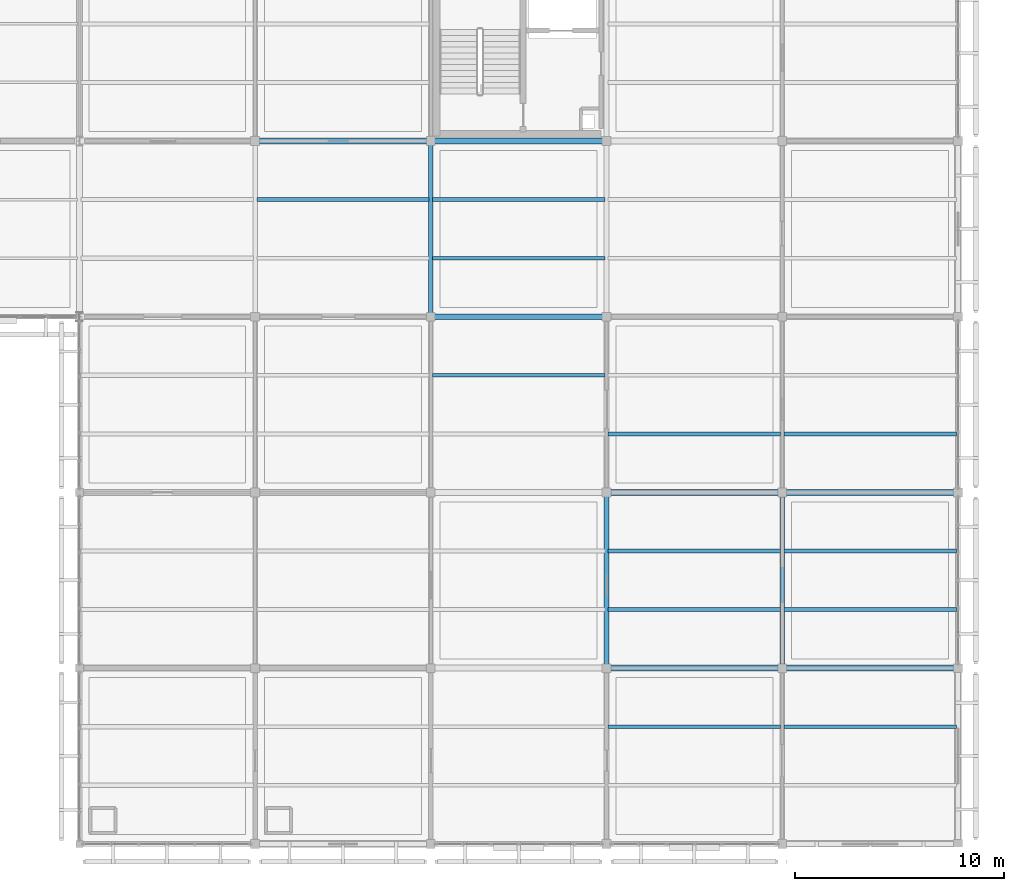
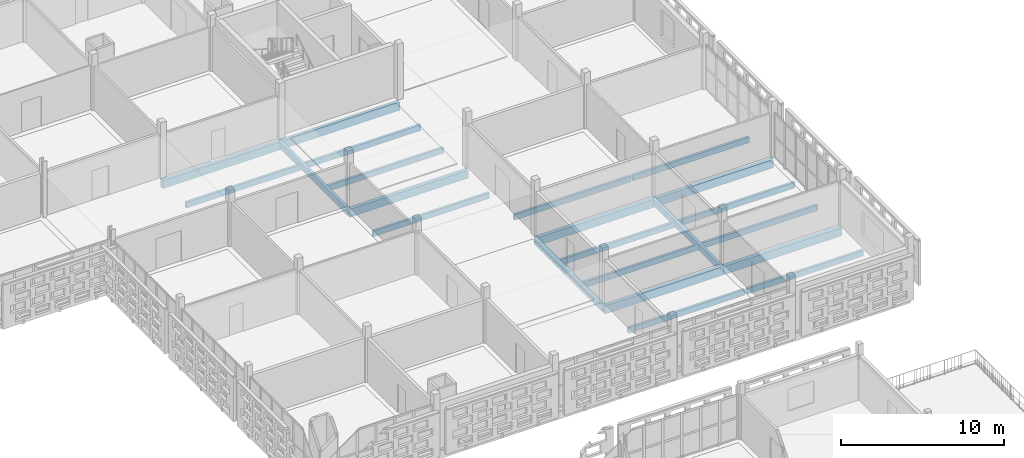
# One storey, part 69 of 166: 22 beams.
"""IFC4 building model written with IfcOpenShell, lengths in metres."""

import ifcopenshell
import ifcopenshell.guid

model = None  # the IFC model being written
_history = None  # IfcOwnerHistory: only IFC2X3 demands one
_inside = {}  # id of a spatial element -> (the spatial element, [elements in it])
_under = {}  # id of a project, library or spatial element -> (it, [spatial elements below it])
_declared = {}  # id of a project -> (the project, [libraries it declares])
_typed = {}  # id of a type object -> (the type object, [elements of that type])
_made_of = {}  # id of a material, layer set ... -> (it, [elements and type objects made of it])


def new_model(schema):
    """Start an empty IFC model of exactly this schema.

    Asked for "IFC4X3", IfcOpenShell would pick the latest addendum, in which some entities
    have other attributes; the version numbers below select the first issue.
    IFC2X3 requires an IfcOwnerHistory on every rooted entity: one is made here for all.
    """
    global model, _history
    if schema == "IFC4X3":
        model = ifcopenshell.file(schema_version=(4, 3, 0, 0))
    else:
        model = ifcopenshell.file(schema=schema)
    _inside.clear()
    _under.clear()
    _declared.clear()
    _typed.clear()
    _made_of.clear()
    _history = None
    if model.schema == "IFC2X3":
        org = make("IfcOrganization", Name="unknown")
        user = make(
            "IfcPersonAndOrganization",
            ThePerson=make("IfcPerson", FamilyName="unknown"),
            TheOrganization=org,
        )
        app = make(
            "IfcApplication",
            ApplicationDeveloper=org,
            Version="unknown",
            ApplicationFullName="unknown",
            ApplicationIdentifier="unknown",
        )
        _history = make(
            "IfcOwnerHistory",
            OwningUser=user,
            OwningApplication=app,
            ChangeAction="ADDED",
            CreationDate=0,
        )
    return model


def make(cls, **values):
    """One entity of the class cls with the attributes given. An attribute that is None is left unset."""
    return model.create_entity(
        cls, **{name: value for name, value in values.items() if value is not None}
    )


def rooted(cls, **values):
    """An entity with a GlobalId (a new one), such as an element, a storey or a relation."""
    return make(cls, GlobalId=ifcopenshell.guid.new(), OwnerHistory=_history, **values)


def si_unit(unit_type, name, prefix=None):
    """IfcSIUnit, for example si_unit("LENGTHUNIT", "METRE", prefix="MILLI")."""
    return make("IfcSIUnit", UnitType=unit_type, Prefix=prefix, Name=name)


def assignment(units):
    """IfcUnitAssignment: the units of a project."""
    return None if units is None else make("IfcUnitAssignment", Units=units)


def point(xyz):
    """IfcCartesianPoint."""
    return None if xyz is None else make("IfcCartesianPoint", Coordinates=xyz)


def direction(xyz):
    """IfcDirection."""
    return None if xyz is None else make("IfcDirection", DirectionRatios=xyz)


def frame(location, z_axis=None, x_axis=None):
    """IfcAxis2Placement3D, a coordinate frame: its origin and axes. An axis left out is left unset."""
    return make(
        "IfcAxis2Placement3D",
        Location=point(location),
        Axis=direction(z_axis),
        RefDirection=direction(x_axis),
    )


def frame_2d(location, x_axis=None):
    """IfcAxis2Placement2D, a coordinate frame in the plane: its origin and x axis."""
    return make(
        "IfcAxis2Placement2D", Location=point(location), RefDirection=direction(x_axis)
    )


def origin():
    """The frame at (0, 0, 0) with its axes left unset."""
    return frame((0.0, 0.0, 0.0))


def origin_2d():
    """The frame at (0, 0) in the plane with its x axis left unset."""
    return frame_2d((0.0, 0.0))


def place(relative_to, where):
    """IfcLocalPlacement: puts the frame where relative to a parent placement (None: the world)."""
    return make(
        "IfcLocalPlacement", PlacementRelTo=relative_to, RelativePlacement=where
    )


def context(
    kind, dimensions, precision=None, world=None, true_north=None, identifier=None
):
    """IfcGeometricRepresentationContext, for example the 3D "Model" context."""
    return make(
        "IfcGeometricRepresentationContext",
        ContextIdentifier=identifier,
        ContextType=kind,
        CoordinateSpaceDimension=dimensions,
        Precision=precision,
        WorldCoordinateSystem=world,
        TrueNorth=true_north,
    )


def subcontext(parent, identifier, kind, view, scale=None):
    """IfcGeometricRepresentationSubContext, for example "Body" below "Model"."""
    return make(
        "IfcGeometricRepresentationSubContext",
        ContextIdentifier=identifier,
        ContextType=kind,
        ParentContext=parent,
        TargetScale=scale,
        TargetView=view,
    )


def project(units=None, contexts=None):
    """IfcProject with its units and contexts."""
    return rooted(
        "IfcProject",
        Name="project",
        RepresentationContexts=contexts,
        UnitsInContext=assignment(units),
    )


def spatial(cls, under=None, at=None, **own):
    """A site, building, storey or space (cls), placed at a placement, below another one or the project."""
    s = rooted(cls, ObjectPlacement=at, **own)
    if under is not None:
        _under.setdefault(under.id(), (under, []))[1].append(s)
    return s


def profile(cls, at=None, kind="AREA", **sizes):
    """A parametric profile (cls). Its sizes go by their IFC names, for example OverallWidth=200.0."""
    return make(cls, ProfileType=kind, Position=at, **sizes)


def rectangle(**sizes):
    """IfcRectangleProfileDef."""
    return profile("IfcRectangleProfileDef", **sizes)


def extrude(swept, where, along, depth):
    """IfcExtrudedAreaSolid: the profile swept, set in the frame where, extruded along a direction by depth."""
    return make(
        "IfcExtrudedAreaSolid",
        SweptArea=swept,
        Position=where,
        ExtrudedDirection=direction(along),
        Depth=depth,
    )


def shape(context_of_items, identifier, shape_type, items):
    """IfcShapeRepresentation: the items that make up one representation, for example the "Body"."""
    return make(
        "IfcShapeRepresentation",
        ContextOfItems=context_of_items,
        RepresentationIdentifier=identifier,
        RepresentationType=shape_type,
        Items=items,
    )


def material(Name=None, Category=None):
    """IfcMaterial."""
    return make("IfcMaterial", Name=Name, Category=Category)


def material_profile(
    of_material, cross_section, Name=None, Category=None, Priority=None
):
    """IfcMaterialProfile: a cross section and its material."""
    return make(
        "IfcMaterialProfile",
        Name=Name,
        Material=of_material,
        Profile=cross_section,
        Priority=Priority,
        Category=Category,
    )


def profile_set(profiles, Name=None, composite=None):
    """IfcMaterialProfileSet."""
    return make(
        "IfcMaterialProfileSet",
        Name=Name,
        MaterialProfiles=profiles,
        CompositeProfile=composite,
    )


def made_of(thing, what):
    """Note that an element or type object is made of a material, layer set ...; save() writes the relation."""
    if what is not None:
        _made_of.setdefault(what.id(), (what, []))[1].append(thing)
    return thing


def type_object(cls, material=None, **own):
    """A type object (cls), such as IfcWallType, which elements share."""
    return made_of(rooted(cls, **own), material)


def element(
    cls,
    number,
    at=None,
    inside=None,
    cuts=None,
    type_object=None,
    material=None,
    context=None,
    identifier="Body",
    shape_type=None,
    held_by="IfcProductDefinitionShape",
    body=None,
    shapes=None,
    **own,
):
    """One element of the class cls, such as IfcWall. Its Tag is "e" and its number.

    at: its placement. inside: the storey or other place that contains it. cuts: it is an
    opening in that element (IfcRelVoidsElement). A single representation is given by context,
    identifier, shape_type and body (its items); several are given by shapes. held_by: the class
    of the entity that holds the representations. save() writes the other relations.
    """
    e = rooted(cls, Tag="e%d" % number, ObjectPlacement=at, **own)
    if body is not None:
        shapes = [shape(context, identifier, shape_type, body)]
    if shapes is not None:
        e.Representation = make(held_by, Representations=shapes)
    if inside is not None:
        _inside.setdefault(inside.id(), (inside, []))[1].append(e)
    if cuts is not None:
        rooted(
            "IfcRelVoidsElement", RelatingBuildingElement=cuts, RelatedOpeningElement=e
        )
    if type_object is not None:
        _typed.setdefault(type_object.id(), (type_object, []))[1].append(e)
    return made_of(e, material)


def aggregate(whole, parts):
    """IfcRelAggregates: a whole, such as a stair, and the parts it consists of."""
    return rooted("IfcRelAggregates", RelatingObject=whole, RelatedObjects=parts)


def save(model, path):
    """Write the relations noted so far, then the file.

    IfcRelAggregates (storeys below a building ...), IfcRelContainedInSpatialStructure (elements
    in a storey), IfcRelDefinesByType, IfcRelAssociatesMaterial and IfcRelDeclares: one each for
    every whole, place, type object, material and project.
    """
    for whole, parts in _under.values():
        aggregate(whole, parts)
    for where, things in _inside.values():
        rooted(
            "IfcRelContainedInSpatialStructure",
            RelatedElements=things,
            RelatingStructure=where,
        )
    for kind, things in _typed.values():
        rooted("IfcRelDefinesByType", RelatedObjects=things, RelatingType=kind)
    for what, things in _made_of.values():
        rooted("IfcRelAssociatesMaterial", RelatedObjects=things, RelatingMaterial=what)
    for by, libraries in _declared.values():
        rooted("IfcRelDeclares", RelatingContext=by, RelatedDefinitions=libraries)
    model.write(path)


model = new_model("IFC4")

# Units and contexts
model_context = context("Model", 3, precision=1e-05, world=origin(), true_north=direction((0.0, 1.0)))
body_context = subcontext(model_context, "Body", "Model", "MODEL_VIEW")
ifc_project = project(units=[si_unit("LENGTHUNIT", "METRE"), si_unit("AREAUNIT", "SQUARE_METRE"), si_unit("VOLUMEUNIT", "CUBIC_METRE"), si_unit("PLANEANGLEUNIT", "RADIAN"), si_unit("MASSUNIT", "GRAM", prefix="KILO")], contexts=[model_context])

# Site, building, storey
site_placement = place(None, origin())
site = spatial("IfcSite", under=ifc_project, at=site_placement, CompositionType="ELEMENT")
building_placement = place(site_placement, origin())
building = spatial("IfcBuilding", under=site, at=building_placement, Name="Varnapada Polytechnic", CompositionType="ELEMENT")
storey_placement = place(building_placement, frame((0.0, 0.0, 9.60009765625)))
storey = spatial("IfcBuildingStorey", under=building, at=storey_placement, Name="L02", CompositionType="ELEMENT", Elevation=9.60009765625)

# Beams
ifc_material = material(Name="Glulam GL32h", Category="wood")
ifc_material_profile_1 = material_profile(ifc_material, rectangle(XDim=0.280029296875, YDim=0.60009765625, at=origin_2d()), Name="GL 280x600")
ifc_profile_set_1 = profile_set([ifc_material_profile_1], Name="Glulam GL32h")
beam_type_1 = type_object("IfcBeamType", Name="Reading hall glulam girder GG-08 (GL 280x600)", PredefinedType="BEAM", material=ifc_profile_set_1)
beam_1_placement = place(storey_placement, frame((142.800048828125, 92.39990234375, -0.550048828125), z_axis=(1.0, 0.0, 0.0), x_axis=(0.0, 1.0, 0.0)))
element("IfcBeam", 1, at=beam_1_placement, inside=storey, type_object=beam_type_1, Name="L02 beam X 18-19 at Y12", PredefinedType="BEAM", context=body_context, shape_type="SweptSolid", body=[
    extrude(rectangle(XDim=0.280029296875, YDim=0.60009765625, at=origin_2d()), origin(), (0.0, 0.0, 1.0), 8.39990234375),
])
for number, where, z_axis, x_axis, name in (
    (2, (151.199951171875, 84.0, -0.550048828125), (1.0, 0.0, 0.0), (0.0, 1.0, 0.0), "L02 beam X 19-20 at Y11"),
    (3, (151.199951171875, 92.39990234375, -0.550048828125), (1.0, 0.0, 0.0), (0.0, 1.0, 0.0), "L02 beam X 19-20 at Y12"),
):
    element("IfcBeam", number, at=place(storey_placement, frame(where, z_axis=z_axis, x_axis=x_axis)), inside=storey, type_object=beam_type_1, Name=name, PredefinedType="BEAM", context=body_context, shape_type="SweptSolid", body=[
        extrude(rectangle(XDim=0.280029296875, YDim=0.60009765625, at=origin_2d()), origin(), (0.0, 0.0, 1.0), 8.400146484375),
    ])
for number, where, z_axis, x_axis, name in (
    (4, (159.60009765625, 67.199951171875, -0.550048828125), (1.0, 0.0, 0.0), (0.0, 1.0, 0.0), "L02 beam X 20-21 at Y9"),
    (5, (159.60009765625, 75.60009765625, -0.550048828125), (1.0, 0.0, 0.0), (0.0, 1.0, 0.0), "L02 beam X 20-21 at Y10"),
    (6, (168.0, 67.199951171875, -0.550048828125), (1.0, 0.0, 0.0), (0.0, 1.0, 0.0), "L02 beam X 21-22 at Y9"),
    (7, (168.0, 75.60009765625, -0.550048828125), (1.0, 0.0, 0.0), (0.0, 1.0, 0.0), "L02 beam X 21-22 at Y10"),
):
    element("IfcBeam", number, at=place(storey_placement, frame(where, z_axis=z_axis, x_axis=x_axis)), inside=storey, type_object=beam_type_1, Name=name, PredefinedType="BEAM", context=body_context, shape_type="SweptSolid", body=[
        extrude(rectangle(XDim=0.280029296875, YDim=0.60009765625, at=origin_2d()), origin(), (0.0, 0.0, 1.0), 8.39990234375),
    ])
ifc_material_profile_2 = material_profile(ifc_material, rectangle(XDim=0.179931640625, YDim=0.419921875, at=origin_2d()), Name="GL 180x420")
ifc_profile_set_2 = profile_set([ifc_material_profile_2], Name="Glulam GL32h")
beam_type_2 = type_object("IfcBeamType", Name="Reading hall glulam joist GJ-04 (GL 180x420)", PredefinedType="JOIST", material=ifc_profile_set_2)
beam_2_placement = place(storey_placement, frame((142.8798828125, 89.60009765625, -0.460205078125), z_axis=(1.0, 0.0, 0.0), x_axis=(0.0, 1.0, 0.0)))
element("IfcBeam", 8, at=beam_2_placement, inside=storey, type_object=beam_type_2, Name="L02 floor joist 18/11.2", PredefinedType="JOIST", context=body_context, shape_type="SweptSolid", body=[
    extrude(rectangle(XDim=0.179931640625, YDim=0.419921875, at=origin_2d()), origin(), (0.0, 0.0, 1.0), 8.240234375),
])
for number, where, z_axis, x_axis, name in (
    (9, (151.280029296875, 81.199951171875, -0.460205078125), (1.0, 0.0, 0.0), (0.0, 1.0, 0.0), "L02 floor joist 19/10.2"),
    (10, (151.280029296875, 86.800048828125, -0.460205078125), (1.0, 0.0, 0.0), (0.0, 1.0, 0.0), "L02 floor joist 19/11.1"),
    (11, (151.280029296875, 89.60009765625, -0.460205078125), (1.0, 0.0, 0.0), (0.0, 1.0, 0.0), "L02 floor joist 19/11.2"),
    (12, (159.679931640625, 64.39990234375, -0.460205078125), (1.0, 0.0, 0.0), (0.0, 1.0, 0.0), "L02 floor joist 20/8.2"),
    (13, (159.679931640625, 70.0, -0.460205078125), (1.0, 0.0, 0.0), (0.0, 1.0, 0.0), "L02 floor joist 20/9.1"),
    (14, (159.679931640625, 72.800048828125, -0.460205078125), (1.0, 0.0, 0.0), (0.0, 1.0, 0.0), "L02 floor joist 20/9.2"),
    (15, (159.679931640625, 78.39990234375, -0.460205078125), (1.0, 0.0, 0.0), (0.0, 1.0, 0.0), "L02 floor joist 20/10.1"),
    (16, (168.080078125, 64.39990234375, -0.460205078125), (1.0, 0.0, 0.0), (0.0, 1.0, 0.0), "L02 floor joist 21/8.2"),
    (17, (168.080078125, 70.0, -0.460205078125), (1.0, 0.0, 0.0), (0.0, 1.0, 0.0), "L02 floor joist 21/9.1"),
    (18, (168.080078125, 72.800048828125, -0.460205078125), (1.0, 0.0, 0.0), (0.0, 1.0, 0.0), "L02 floor joist 21/9.2"),
    (19, (168.080078125, 78.39990234375, -0.460205078125), (1.0, 0.0, 0.0), (0.0, 1.0, 0.0), "L02 floor joist 21/10.1"),
):
    element("IfcBeam", number, at=place(storey_placement, frame(where, z_axis=z_axis, x_axis=x_axis)), inside=storey, type_object=beam_type_2, Name=name, PredefinedType="JOIST", context=body_context, shape_type="SweptSolid", body=[
        extrude(rectangle(XDim=0.179931640625, YDim=0.419921875, at=origin_2d()), origin(), (0.0, 0.0, 1.0), 8.239990234375),
    ])
ifc_material_profile_3 = material_profile(ifc_material, rectangle(XDim=0.219970703125, YDim=0.47998046875, at=origin_2d()), Name="GL 220x480")
ifc_profile_set_3 = profile_set([ifc_material_profile_3], Name="Glulam GL32h")
beam_type_3 = type_object("IfcBeamType", Name="Upper floor glulam tie beam GB-11 (GL 220x480)", PredefinedType="BEAM", material=ifc_profile_set_3)
beam_3_placement = place(storey_placement, frame((151.199951171875, 84.0, -0.489990234375), z_axis=(0.0, 1.0, 0.0), x_axis=(-1.0, 0.0, 0.0)))
element("IfcBeam", 20, at=beam_3_placement, inside=storey, type_object=beam_type_3, Name="L02 beam Y 11-12 at X19", PredefinedType="BEAM", context=body_context, shape_type="SweptSolid", body=[
    extrude(rectangle(XDim=0.219970703125, YDim=0.47998046875, at=origin_2d()), origin(), (0.0, 0.0, 1.0), 8.39990234375),
])
for number, where, z_axis, x_axis, name in (
    (21, (159.60009765625, 67.199951171875, -0.489990234375), (0.0, 1.0, 0.0), (-1.0, 0.0, 0.0), "L02 beam Y 9-10 at X20"),
    (22, (168.0, 67.199951171875, -0.489990234375), (0.0, 1.0, 0.0), (-1.0, 0.0, 0.0), "L02 beam Y 9-10 at X21"),
):
    element("IfcBeam", number, at=place(storey_placement, frame(where, z_axis=z_axis, x_axis=x_axis)), inside=storey, type_object=beam_type_3, Name=name, PredefinedType="BEAM", context=body_context, shape_type="SweptSolid", body=[
        extrude(rectangle(XDim=0.219970703125, YDim=0.47998046875, at=origin_2d()), origin(), (0.0, 0.0, 1.0), 8.400146484375),
    ])

save(model, "model.ifc")
